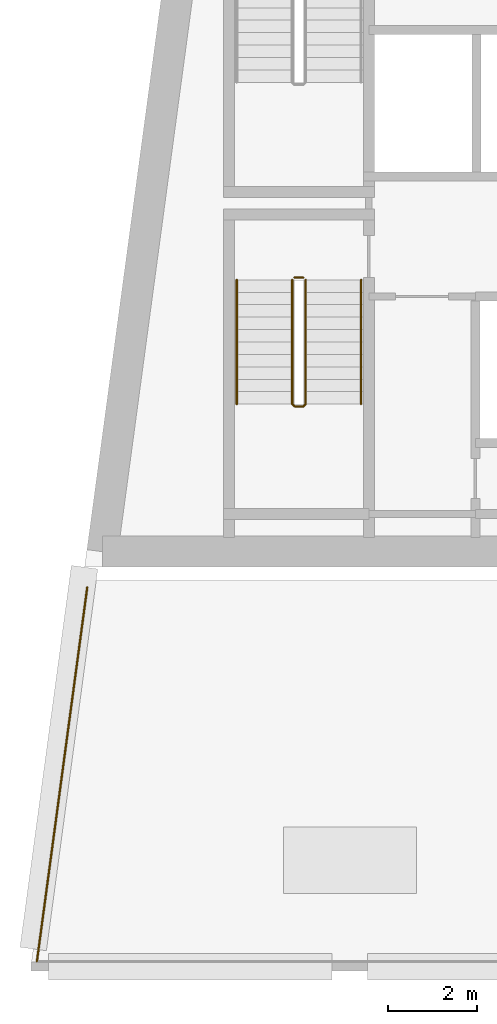
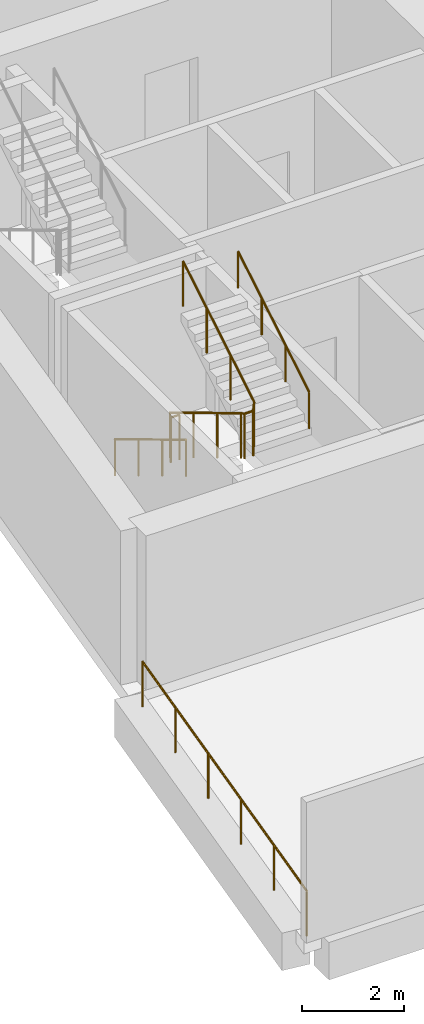
# One storey, part 7 of 12: 5 railings.
"""IFC4 building model written with IfcOpenShell, lengths in metres."""

from ifc_helpers import new_model, si_unit, direction, frame, origin, origin_2d, place, context, subcontext, project, spatial, circle, extrude, material, type_object, element, save


model = new_model("IFC4")

# Units and contexts
model_context = context("Model", 3, precision=1e-05, world=origin(), true_north=direction((0.0, 1.0)))
body_context = subcontext(model_context, "Body", "Model", "MODEL_VIEW")
ifc_project = project(units=[si_unit("LENGTHUNIT", "METRE"), si_unit("AREAUNIT", "SQUARE_METRE"), si_unit("VOLUMEUNIT", "CUBIC_METRE"), si_unit("PLANEANGLEUNIT", "RADIAN"), si_unit("MASSUNIT", "GRAM", prefix="KILO")], contexts=[model_context])

# Site, building, storey
site_placement = place(None, origin())
site = spatial("IfcSite", under=ifc_project, at=site_placement, CompositionType="ELEMENT")
building_placement = place(site_placement, origin())
building = spatial("IfcBuilding", under=site, at=building_placement, Name="Candeia Pilgrim Tower and Theatre", CompositionType="ELEMENT")
storey_placement = place(building_placement, frame((0.0, 0.0, 281.199951171875)))
storey = spatial("IfcBuildingStorey", under=building, at=storey_placement, Name="L68", CompositionType="ELEMENT", Elevation=281.199951171875)

# Railings
ifc_material_1 = material(Name="Stainless steel balustrade", Category="steel")
railing_type_1 = type_object("IfcRailingType", Name="G1 loggia guard 1100", PredefinedType="GUARDRAIL", material=ifc_material_1)
railing_1_placement = place(storey_placement, frame((85.348876953125, 107.1201171875, 0.0)))
element("IfcRailing", 1, at=railing_1_placement, inside=storey, type_object=railing_type_1, Name="Terrace guard L68.1", PredefinedType="GUARDRAIL", context=body_context, shape_type="SweptSolid", body=[
    extrude(circle(Radius=0.02392578125, at=origin_2d()), frame((0.0, 0.0, 1.076171875), z_axis=(0.133408217142, 0.991061172481, 0.0), x_axis=(-0.991061172481, 0.133408217142, 0.0)), (0.0, 0.0, 1.0), 8.505859375),
    extrude(circle(Radius=0.02099609375, at=origin_2d()), origin(), (0.0, 0.0, 1.0), 1.052001953125),
    extrude(circle(Radius=0.02099609375, at=origin_2d()), frame((0.22705078125, 1.68603515625, 0.0)), (0.0, 0.0, 1.0), 1.052001953125),
    extrude(circle(Radius=0.02099609375, at=origin_2d()), frame((0.453857421875, 3.3720703125, 0.0)), (0.0, 0.0, 1.0), 1.052001953125),
    extrude(circle(Radius=0.02099609375, at=origin_2d()), frame((0.680908203125, 5.057861328125, 0.0)), (0.0, 0.0, 1.0), 1.052001953125),
    extrude(circle(Radius=0.02099609375, at=origin_2d()), frame((0.90771484375, 6.743896484375, 0.0)), (0.0, 0.0, 1.0), 1.052001953125),
    extrude(circle(Radius=0.02099609375, at=origin_2d()), frame((1.134765625, 8.429931640625, 0.0)), (0.0, 0.0, 1.0), 1.052001953125),
])
railing_type_2 = type_object("IfcRailingType", Name="RL-GUARD-1100", PredefinedType="GUARDRAIL", material=ifc_material_1)
railing_2_placement = place(storey_placement, frame((91.10205078125, 122.47509765625, 0.168212890625)))
element("IfcRailing", 2, at=railing_2_placement, inside=storey, type_object=railing_type_2, Name="L68 ST1 stair guard 1", PredefinedType="GUARDRAIL", context=body_context, shape_type="SweptSolid", body=[
    extrude(circle(Radius=0.02392578125, at=origin_2d()), frame((0.0, 0.0, 1.076171875), z_axis=(0.0, -0.857242210791, 0.514913383045), x_axis=(1.0, 0.0, 0.0)), (0.0, 0.0, 1.0), 3.266357421875),
    extrude(circle(Radius=0.02392578125, at=origin_2d()), frame((0.0, -2.800048828125, 2.7578125), z_axis=(0.707106781187, -0.707106781187, 0.0), x_axis=(0.707106781187, 0.707106781187, 0.0)), (0.0, 0.0, 1.0), 0.07080078125),
    extrude(circle(Radius=0.02392578125, at=origin_2d()), frame((0.050048828125, -2.85009765625, 2.7578125), z_axis=(1.0, 0.0, 0.0), x_axis=(0.0, 1.0, 0.0)), (0.0, 0.0, 1.0), 0.199951171875),
    extrude(circle(Radius=0.02392578125, at=origin_2d()), frame((0.25, -2.85009765625, 2.7578125), z_axis=(0.274243871929, 0.274243871929, 0.92172696468), x_axis=(-0.707106781187, 0.707106781187, 0.0)), (0.0, 0.0, 1.0), 0.1826171875),
    extrude(circle(Radius=0.02392578125, at=origin_2d()), frame((0.300048828125, -2.800048828125, 2.92626953125), z_axis=(0.0, 0.857275202839, 0.514858452973), x_axis=(-1.0, 0.0, 0.0)), (0.0, 0.0, 1.0), 3.26611328125),
    extrude(circle(Radius=0.02099609375, at=origin_2d()), origin(), (0.0, 0.0, 1.0), 1.052001953125),
    extrude(circle(Radius=0.02099609375, at=origin_2d()), frame((0.0, -0.933349609375, 0.560546875)), (0.0, 0.0, 1.0), 1.052001953125),
    extrude(circle(Radius=0.02099609375, at=origin_2d()), frame((0.0, -1.86669921875, 1.121337890625)), (0.0, 0.0, 1.0), 1.052001953125),
    extrude(circle(Radius=0.02099609375, at=origin_2d()), frame((0.0, -2.800048828125, 1.681884765625)), (0.0, 0.0, 1.0), 1.052001953125),
    extrude(circle(Radius=0.02099609375, at=origin_2d()), frame((0.050048828125, -2.85009765625, 1.681884765625)), (0.0, 0.0, 1.0), 1.052001953125),
    extrude(circle(Radius=0.02099609375, at=origin_2d()), frame((0.25, -2.85009765625, 1.681884765625)), (0.0, 0.0, 1.0), 1.052001953125),
    extrude(circle(Radius=0.02099609375, at=origin_2d()), frame((0.300048828125, -2.800048828125, 1.85009765625)), (0.0, 0.0, 1.0), 1.052001953125),
    extrude(circle(Radius=0.02099609375, at=origin_2d()), frame((0.300048828125, -1.86669921875, 2.41064453125)), (0.0, 0.0, 1.0), 1.052001953125),
    extrude(circle(Radius=0.02099609375, at=origin_2d()), frame((0.300048828125, -0.933349609375, 2.97119140625)), (0.0, 0.0, 1.0), 1.052001953125),
    extrude(circle(Radius=0.02099609375, at=origin_2d()), frame((0.300048828125, 0.0, 3.53173828125)), (0.0, 0.0, 1.0), 1.052001953125),
])
railing_3_placement = place(storey_placement, frame((91.152099609375, 122.52490234375, 0.0)))
element("IfcRailing", 3, at=railing_3_placement, inside=storey, type_object=railing_type_2, Name="L68 ST1 stair guard 2", PredefinedType="GUARDRAIL", context=body_context, shape_type="SweptSolid", body=[
    extrude(circle(Radius=0.02392578125, at=origin_2d()), frame((0.0, 0.0, 1.076171875), z_axis=(1.0, 0.0, 0.0), x_axis=(0.0, 1.0, 0.0)), (0.0, 0.0, 1.0), 0.199951171875),
    extrude(circle(Radius=0.02099609375, at=origin_2d()), origin(), (0.0, 0.0, 1.0), 1.052001953125),
    extrude(circle(Radius=0.02099609375, at=origin_2d()), frame((0.199951171875, 0.0, 0.0)), (0.0, 0.0, 1.0), 1.052001953125),
])
ifc_material_2 = material(Name="Stainless steel handrail", Category="steel")
railing_type_3 = type_object("IfcRailingType", Name="RL-HANDRAIL-900", PredefinedType="HANDRAIL", material=ifc_material_2)
railing_4_placement = place(storey_placement, frame((89.85205078125, 122.47509765625, 0.168212890625)))
element("IfcRailing", 4, at=railing_4_placement, inside=storey, type_object=railing_type_3, Name="L68 ST1 stair handrail 1", PredefinedType="HANDRAIL", context=body_context, shape_type="SweptSolid", body=[
    extrude(circle(Radius=0.02392578125, at=origin_2d()), frame((0.0, 0.0, 0.8759765625), z_axis=(0.0, -0.857242210791, 0.514913383045), x_axis=(1.0, 0.0, 0.0)), (0.0, 0.0, 1.0), 3.266357421875),
    extrude(circle(Radius=0.02099609375, at=origin_2d()), origin(), (0.0, 0.0, 1.0), 0.851806640625),
    extrude(circle(Radius=0.02099609375, at=origin_2d()), frame((0.0, -0.933349609375, 0.560546875)), (0.0, 0.0, 1.0), 0.851806640625),
    extrude(circle(Radius=0.02099609375, at=origin_2d()), frame((0.0, -1.86669921875, 1.121337890625)), (0.0, 0.0, 1.0), 0.851806640625),
    extrude(circle(Radius=0.02099609375, at=origin_2d()), frame((0.0, -2.800048828125, 1.681884765625)), (0.0, 0.0, 1.0), 0.851806640625),
])
railing_5_placement = place(storey_placement, frame((92.652099609375, 119.675048828125, 2.018310546875)))
element("IfcRailing", 5, at=railing_5_placement, inside=storey, type_object=railing_type_3, Name="L68 ST1 stair handrail 2", PredefinedType="HANDRAIL", context=body_context, shape_type="SweptSolid", body=[
    extrude(circle(Radius=0.02392578125, at=origin_2d()), frame((0.0, 0.0, 0.8759765625), z_axis=(0.0, 0.857275202839, 0.514858452973), x_axis=(-1.0, 0.0, 0.0)), (0.0, 0.0, 1.0), 3.26611328125),
    extrude(circle(Radius=0.02099609375, at=origin_2d()), origin(), (0.0, 0.0, 1.0), 0.851806640625),
    extrude(circle(Radius=0.02099609375, at=origin_2d()), frame((0.0, 0.933349609375, 0.560546875)), (0.0, 0.0, 1.0), 0.851806640625),
    extrude(circle(Radius=0.02099609375, at=origin_2d()), frame((0.0, 1.86669921875, 1.12109375)), (0.0, 0.0, 1.0), 0.851806640625),
    extrude(circle(Radius=0.02099609375, at=origin_2d()), frame((0.0, 2.800048828125, 1.681640625)), (0.0, 0.0, 1.0), 0.851806640625),
])

save(model, "model.ifc")
